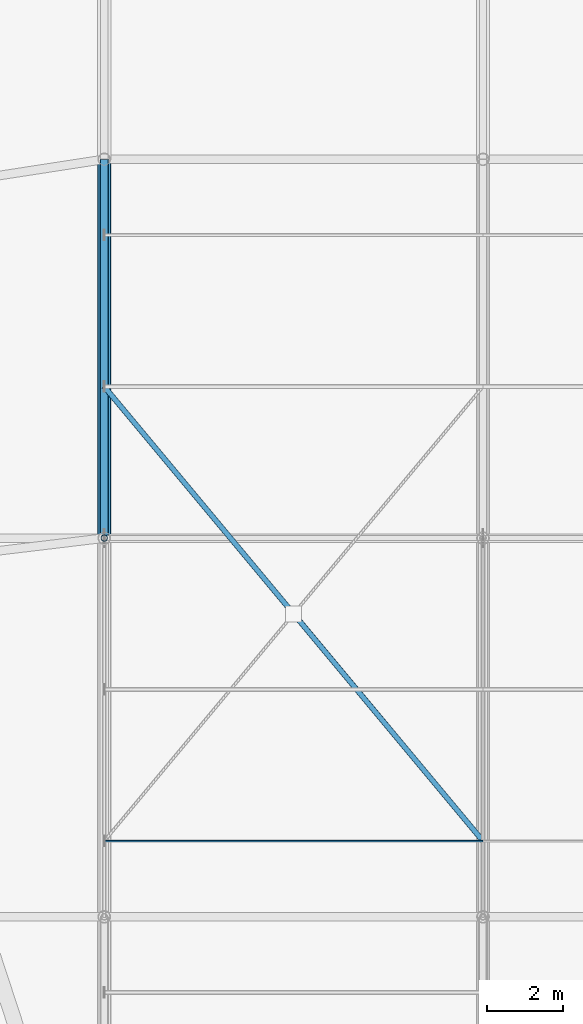
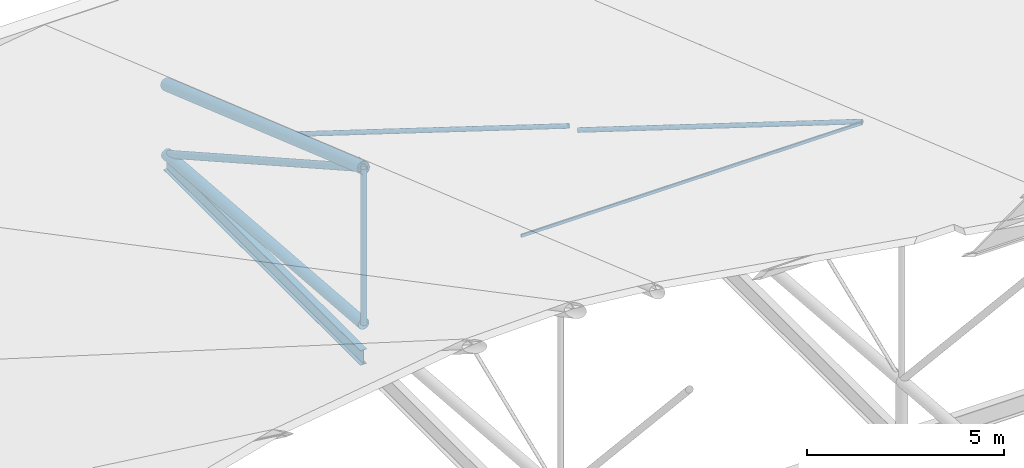
# One storey, part 33 of 93: 7 members, 1 beam.
"""IFC4 building model written with IfcOpenShell, lengths in metres."""

from ifc_helpers import new_model, si_unit, derived_unit, direction, frame, origin, origin_2d_with_axis, place, context, subcontext, project, spatial, hollow_rectangle, hollow_circle, i_section, extrude, material, material_profile, profile_set, type_object, element, save


model = new_model("IFC4")

# Units and contexts
model_context = context("Model", 3, precision=1e-05, world=origin(), true_north=direction((0.0, 1.0)))
body_context = subcontext(model_context, "Body", "Model", "MODEL_VIEW")
ifc_project = project(units=[si_unit("LENGTHUNIT", "METRE"), si_unit("AREAUNIT", "SQUARE_METRE"), si_unit("VOLUMEUNIT", "CUBIC_METRE"), si_unit("PLANEANGLEUNIT", "RADIAN"), si_unit("MASSUNIT", "GRAM", prefix="KILO"), derived_unit("THERMALTRANSMITTANCEUNIT", [(si_unit("POWERUNIT", "WATT"), 1), (si_unit("LENGTHUNIT", "METRE"), -2), (si_unit("THERMODYNAMICTEMPERATUREUNIT", "KELVIN"), -1)])], contexts=[model_context])

# Site, building, storey
site_placement = place(None, origin())
site = spatial("IfcSite", under=ifc_project, at=site_placement, CompositionType="ELEMENT")
building_placement = place(site_placement, origin())
building = spatial("IfcBuilding", under=site, at=building_placement, Name="Cinnabar Yard Market Hall", CompositionType="ELEMENT")
storey_placement = place(building_placement, frame((0.0, 0.0, 23.800048828125)))
storey = spatial("IfcBuildingStorey", under=building, at=storey_placement, Name="ROOF", CompositionType="ELEMENT", Elevation=23.800048828125)

# Beam
ifc_material_1 = material(Name="Steel Grade 300 (300 MPa)", Category="steel")
ifc_material_profile_1 = material_profile(ifc_material_1, i_section(OverallWidth=0.19091796875, OverallDepth=0.46044921875, WebThickness=0.010009765625, FlangeThickness=0.01611328125, FilletRadius=0.011474609375, at=origin_2d_with_axis()), Name="460UB82.1")
ifc_profile_set_1 = profile_set([ifc_material_profile_1], Name="Steel Grade 300 (300 MPa)")
beam_type = type_object("IfcBeamType", Name="BM-B04", PredefinedType="BEAM", material=ifc_profile_set_1)
beam_placement = place(storey_placement, frame((86.0, 64.0, -9.630126953125), z_axis=(0.0, 1.0, 0.0), x_axis=(-1.0, 0.0, 0.0)))
element("IfcBeam", 1, at=beam_placement, inside=storey, type_object=beam_type, Name="North Chhajja Backspan Girder 00522", PredefinedType="BEAM", context=body_context, shape_type="SweptSolid", body=[
    extrude(i_section(OverallWidth=0.19091796875, OverallDepth=0.46044921875, WebThickness=0.010009765625, FlangeThickness=0.01611328125, FilletRadius=0.011474609375, at=origin_2d_with_axis()), origin(), (0.0, 0.0, 1.0), 10.0),
])

# Members
ifc_material_2 = material(Name="Cold-formed steel C350L0", Category="steel")
ifc_material_profile_2 = material_profile(ifc_material_2, hollow_circle(Radius=0.161865234375, WallThickness=0.009521484375, at=origin_2d_with_axis()), Name="323.9x9.5CHS")
ifc_profile_set_2 = profile_set([ifc_material_profile_2], Name="Cold-formed steel C350L0")
member_type_1 = type_object("IfcMemberType", Name="MB-BC01", PredefinedType="CHORD", material=ifc_profile_set_2)
member_1_placement = place(storey_placement, frame((86.0, 64.0, -8.60009765625), z_axis=(0.0, 0.99681489162, -0.07975005859), x_axis=(-1.0, 0.0, 0.0)))
element("IfcMember", 2, at=member_1_placement, inside=storey, type_object=member_type_1, Name="Hall Truss 86 Bottom Chord 6", PredefinedType="CHORD", context=body_context, shape_type="SweptSolid", body=[
    extrude(hollow_circle(Radius=0.161865234375, WallThickness=0.009521484375, at=origin_2d_with_axis()), origin(), (0.0, 0.0, 1.0), 10.031982421875),
])
ifc_material_profile_3 = material_profile(ifc_material_2, hollow_circle(Radius=0.109619140625, WallThickness=0.00830078125, at=origin_2d_with_axis()), Name="219.1x8.2CHS")
ifc_profile_set_3 = profile_set([ifc_material_profile_3], Name="Cold-formed steel C350L0")
member_type_2 = type_object("IfcMemberType", Name="MB-DG01", PredefinedType="BRACE", material=ifc_profile_set_3)
member_2_placement = place(storey_placement, frame((86.0, 64.0, -3.76123046875), z_axis=(0.0, 0.871057093215, -0.491181779345), x_axis=(-1.0, 0.0, 0.0)))
element("IfcMember", 3, at=member_2_placement, inside=storey, type_object=member_type_2, Name="Hall Truss 86 Diagonal 6", PredefinedType="BRACE", context=body_context, shape_type="SweptSolid", body=[
    extrude(hollow_circle(Radius=0.109619140625, WallThickness=0.00830078125, at=origin_2d_with_axis()), origin(), (0.0, 0.0, 1.0), 11.480224609375),
])
ifc_material_profile_4 = material_profile(ifc_material_2, hollow_rectangle(XDim=0.050048828125, YDim=0.10009765625, WallThickness=0.00390625, InnerFilletRadius=0.00390625, OuterFilletRadius=0.008056640625, at=origin_2d_with_axis()), Name="100x50x4.0RHS")
ifc_profile_set_4 = profile_set([ifc_material_profile_4], Name="Cold-formed steel C350L0")
member_type_3 = type_object("IfcMemberType", Name="MB-PU10", PredefinedType="PURLIN", material=ifc_profile_set_4)
member_3_placement = place(storey_placement, frame((86.0, 56.0, -1.016845703125), z_axis=(1.0, 0.0, 0.0), x_axis=(0.0, 1.0, 0.0)))
element("IfcMember", 4, at=member_3_placement, inside=storey, type_object=member_type_3, Name="Hall Roof Purlin Y56 X86", PredefinedType="PURLIN", context=body_context, shape_type="SweptSolid", body=[
    extrude(hollow_rectangle(XDim=0.050048828125, YDim=0.10009765625, WallThickness=0.00390625, InnerFilletRadius=0.00390625, OuterFilletRadius=0.008056640625, at=origin_2d_with_axis()), origin(), (0.0, 0.0, 1.0), 10.0),
])
ifc_material_profile_5 = material_profile(ifc_material_2, hollow_circle(Radius=0.06982421875, WallThickness=0.0048828125, at=origin_2d_with_axis()), Name="139.7x5.0CHS")
ifc_profile_set_5 = profile_set([ifc_material_profile_5], Name="Cold-formed steel C350L0")
member_type_4 = type_object("IfcMemberType", Name="MB-RB01", PredefinedType="BRACE", material=ifc_profile_set_5)
for number, where, z_axis, x_axis, name in (
    (5, (96.0, 56.0, -0.976806640625), (-0.617072875014, 0.740505822572, -0.26621831954), (-0.768229091176, -0.640175025654, 0.0), "Roof Plan Split X-Brace 86-56B1"),
    (6, (90.919921875, 62.095947265625, -3.03125), (-0.617077905073, 0.740511858792, -0.26618986844), (-0.768229091176, -0.640175025654, 0.0), "Roof Plan Split X-Brace 86-56B2"),
):
    element("IfcMember", number, at=place(storey_placement, frame(where, z_axis=z_axis, x_axis=x_axis)), inside=storey, type_object=member_type_4, Name=name, PredefinedType="BRACE", context=body_context, shape_type="SweptSolid", body=[
        extrude(hollow_circle(Radius=0.06982421875, WallThickness=0.0048828125, at=origin_2d_with_axis()), origin(), (0.0, 0.0, 1.0), 7.972900390625),
    ])
ifc_material_profile_6 = material_profile(ifc_material_2, hollow_circle(Radius=0.177734375, WallThickness=0.0126953125, at=origin_2d_with_axis()), Name="355.6x12.7CHS")
ifc_profile_set_6 = profile_set([ifc_material_profile_6], Name="Cold-formed steel C350L0")
member_type_5 = type_object("IfcMemberType", Name="MB-TC01", PredefinedType="CHORD", material=ifc_profile_set_6)
member_4_placement = place(storey_placement, frame((86.0, 64.0, -3.76123046875), z_axis=(0.0, 0.944424919483, -0.328727199147), x_axis=(-1.0, 0.0, 0.0)))
element("IfcMember", 7, at=member_4_placement, inside=storey, type_object=member_type_5, Name="Hall Truss 86 Top Chord 6", PredefinedType="CHORD", context=body_context, shape_type="SweptSolid", body=[
    extrude(hollow_circle(Radius=0.177734375, WallThickness=0.0126953125, at=origin_2d_with_axis()), origin(), (0.0, 0.0, 1.0), 10.58837890625),
])
ifc_material_profile_7 = material_profile(ifc_material_2, hollow_circle(Radius=0.084228515625, WallThickness=0.00634765625, at=origin_2d_with_axis()), Name="168.3x6.4CHS")
ifc_profile_set_7 = profile_set([ifc_material_profile_7], Name="Cold-formed steel C350L0")
member_type_6 = type_object("IfcMemberType", Name="MB-WB01", PredefinedType="STRUT", material=ifc_profile_set_7)
member_5_placement = place(storey_placement, frame((86.0, 64.0, -8.60009765625), z_axis=(0.0, 0.0, 1.0), x_axis=(1.0, 0.0, 0.0)))
element("IfcMember", 8, at=member_5_placement, inside=storey, type_object=member_type_6, Name="Hall Truss 86 Post 5", PredefinedType="STRUT", context=body_context, shape_type="SweptSolid", body=[
    extrude(hollow_circle(Radius=0.084228515625, WallThickness=0.00634765625, at=origin_2d_with_axis()), origin(), (0.0, 0.0, 1.0), 4.8388671875),
])

save(model, "model.ifc")
